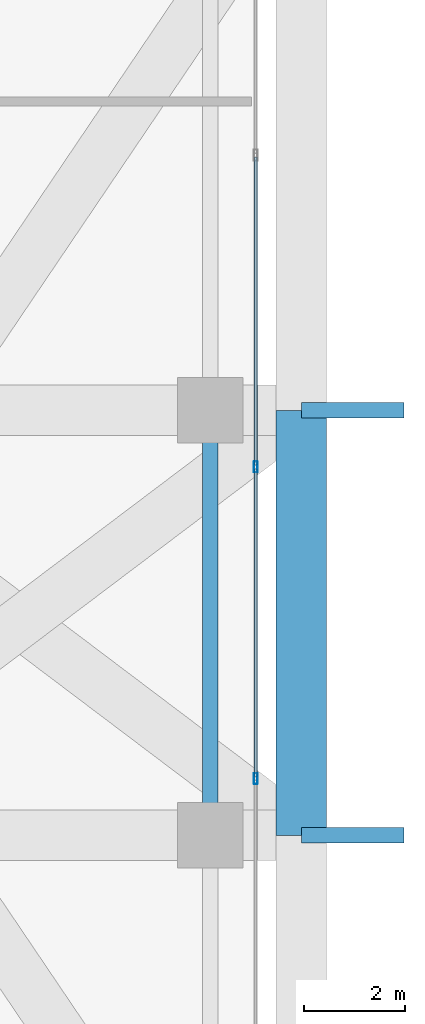
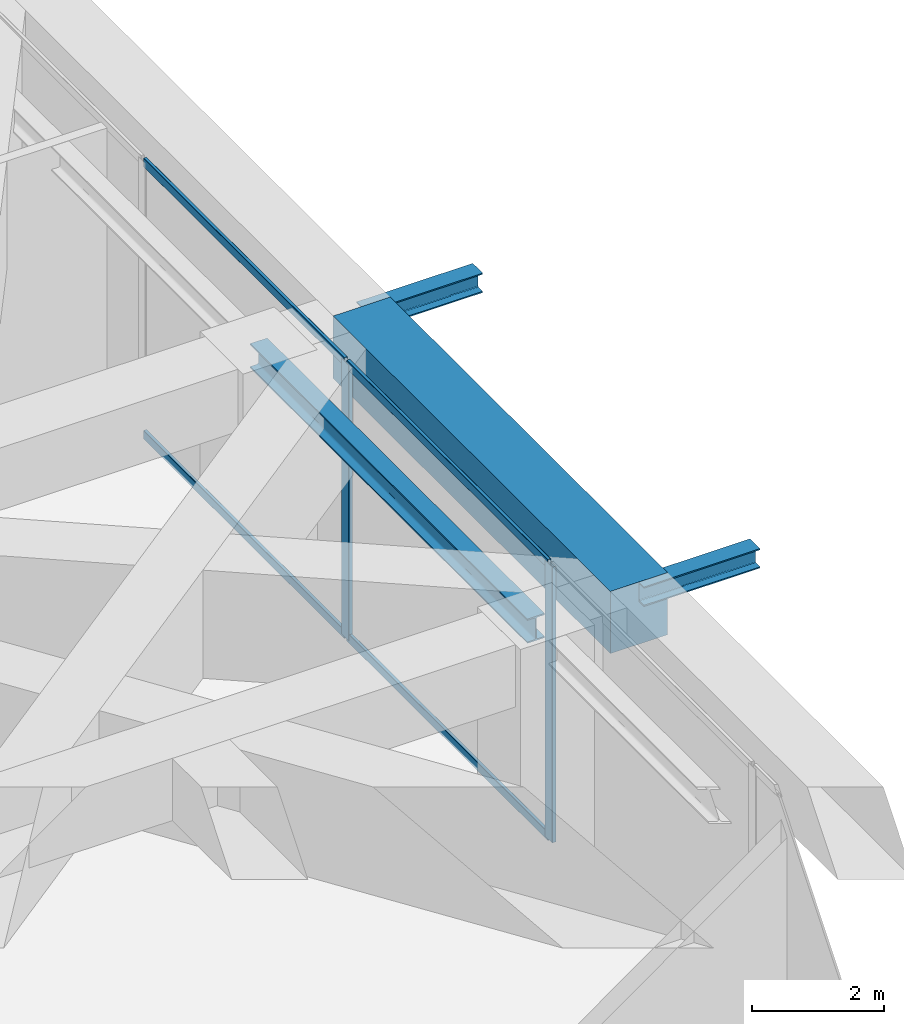
# One storey, part 15 of 38: 6 members, 4 beams, 1 element without a shape of its own.
"""IFC4 building model written with IfcOpenShell, lengths in metres."""

from ifc_helpers import new_model, si_unit, direction, frame, origin, origin_2d, place, context, subcontext, project, spatial, rectangle, hollow_rectangle, i_section, extrude, source, transform, mapped, material, layer, layer_set, material_profile, profile_set, type_object, element, aggregate, save


model = new_model("IFC4")

# Units and contexts
model_context = context("Model", 3, precision=1e-05, world=origin(), true_north=direction((0.0, 1.0)))
body_context = subcontext(model_context, "Body", "Model", "MODEL_VIEW")
ifc_project = project(units=[si_unit("LENGTHUNIT", "METRE"), si_unit("AREAUNIT", "SQUARE_METRE"), si_unit("VOLUMEUNIT", "CUBIC_METRE"), si_unit("PLANEANGLEUNIT", "RADIAN"), si_unit("MASSUNIT", "GRAM", prefix="KILO")], contexts=[model_context])

# Site, building, storey
site_placement = place(None, origin())
site = spatial("IfcSite", under=ifc_project, at=site_placement, CompositionType="ELEMENT")
building_placement = place(site_placement, origin())
building = spatial("IfcBuilding", under=site, at=building_placement, Name="Serunith Strait Residences", CompositionType="ELEMENT")
storey_placement = place(building_placement, frame((0.0, 0.0, 204.89990234375)))
storey = spatial("IfcBuildingStorey", under=building, at=storey_placement, Name="L51", CompositionType="ELEMENT", Elevation=204.89990234375)

# Beams
ifc_material_1 = material(Name="Steel S355J2", Category="steel")
ifc_material_profile_1 = material_profile(ifc_material_1, i_section(OverallWidth=0.300048828125, OverallDepth=0.449951171875, WebThickness=0.013916015625, FlangeThickness=0.02587890625, FilletRadius=0.027099609375, at=origin_2d()), Name="HEB 450")
ifc_profile_set_1 = profile_set([ifc_material_profile_1], Name="Steel S355J2")
beam_type_1 = type_object("IfcBeamType", Name="BM-HEB450", PredefinedType="BEAM", material=ifc_profile_set_1)
shared_shape_1 = source(origin(), body_context, "Body", "SweptSolid", [
    extrude(i_section(OverallWidth=0.300048828125, OverallDepth=0.449951171875, WebThickness=0.013916015625, FlangeThickness=0.02587890625, FilletRadius=0.027099609375, at=origin_2d()), origin(), (0.0, 0.0, 1.0), 8.39990234375),
])
beam_1_placement = place(storey_placement, frame((54.699951171875, 21.0, 4.882080078125), z_axis=(0.0, 1.0, 0.0), x_axis=(-1.0, 0.0, 0.0)))
element("IfcBeam", 1, at=beam_1_placement, inside=storey, type_object=beam_type_1, Name="L51 Perimeter Ring Beam 06", PredefinedType="BEAM", context=body_context, shape_type="MappedRepresentation", body=[
    mapped(shared_shape_1, transform((0.0, 0.0, 0.0), scale=1.0)),
])
ifc_material_2 = material(Name="Concrete C80/95", Category="concrete")
ifc_material_profile_2 = material_profile(ifc_material_2, rectangle(XDim=1.0, YDim=1.14990234375, at=origin_2d()), Name="RC 1000x1150")
ifc_profile_set_2 = profile_set([ifc_material_profile_2], Name="Concrete C80/95")
beam_type_2 = type_object("IfcBeamType", Name="BM-XFER-1000x1150", PredefinedType="BEAM", material=ifc_profile_set_2)
shared_shape_2 = source(origin(), body_context, "Body", "SweptSolid", [
    extrude(rectangle(XDim=1.0, YDim=1.14990234375, at=origin_2d()), origin(), (0.0, 0.0, 1.0), 8.39990234375),
])
beam_2_placement = place(storey_placement, frame((56.5, 21.0, 4.53515625), z_axis=(0.0, 1.0, 0.0), x_axis=(-1.0, 0.0, 0.0)))
element("IfcBeam", 2, at=beam_2_placement, inside=storey, type_object=beam_type_2, Name="L51 Flare Upper Ring Transfer Girder 06", PredefinedType="BEAM", context=body_context, shape_type="MappedRepresentation", body=[
    mapped(shared_shape_2, transform((0.0, 0.0, 0.0), scale=1.0)),
])
ifc_material_profile_3 = material_profile(ifc_material_1, i_section(OverallWidth=0.300048828125, OverallDepth=0.360107421875, WebThickness=0.012451171875, FlangeThickness=0.0224609375, FilletRadius=0.027099609375, at=origin_2d()), Name="HEB 360")
ifc_profile_set_3 = profile_set([ifc_material_profile_3], Name="Steel S355J2")
beam_type_3 = type_object("IfcBeamType", Name="BM-HEB360", PredefinedType="BEAM", material=ifc_profile_set_3)
shared_shape_3 = source(origin(), body_context, "Body", "SweptSolid", [
    extrude(i_section(OverallWidth=0.300048828125, OverallDepth=0.360107421875, WebThickness=0.012451171875, FlangeThickness=0.0224609375, FilletRadius=0.027099609375, at=origin_2d()), origin(), (0.0, 0.0, 1.0), 2.030029296875),
])
for number, where, z_axis, x_axis, name in (
    (3, (56.5, 21.0, 4.927001953125), (1.0, 0.0, 0.0), (0.0, 1.0, 0.0), "L52 Cantilevered Balcony Rib TC-E2"),
    (4, (56.5, 29.39990234375, 4.927001953125), (1.0, 0.0, 0.0), (0.0, 1.0, 0.0), "L52 Cantilevered Balcony Rib TC-E3"),
):
    element("IfcBeam", number, at=place(storey_placement, frame(where, z_axis=z_axis, x_axis=x_axis)), inside=storey, type_object=beam_type_3, Name=name, PredefinedType="BEAM", context=body_context, shape_type="MappedRepresentation", body=[
        mapped(shared_shape_3, transform((0.0, 0.0, 0.0), scale=1.0)),
    ])

# Curtain wall, members
ifc_material_3 = material(Name="Pale-Silver PVDF Aluminium", Category="aluminium")
ifc_layer = layer(ifc_material_3, 0.199951171875, Name="Pale-Silver PVDF Aluminium")
ifc_layer_set = layer_set([ifc_layer], Name="Pale-Silver PVDF Aluminium")
curtain_wall_type = type_object("IfcCurtainWallType", Name="CW-SYS3", PredefinedType="NOTDEFINED", material=ifc_layer_set)
curtain_wall_placement = place(storey_placement, origin())
curtain_wall = element("IfcCurtainWall", 5, at=curtain_wall_placement, inside=storey, type_object=curtain_wall_type, Name="L51 E Unitised Fritted Curtain Wall", PredefinedType="NOTDEFINED")
ifc_material_profile_4 = material_profile(ifc_material_3, hollow_rectangle(XDim=0.074951171875, YDim=0.219970703125, WallThickness=0.00390625, InnerFilletRadius=0.006103515625, OuterFilletRadius=0.010009765625, at=origin_2d()), Name="ALU 220x75x4")
ifc_profile_set_4 = profile_set([ifc_material_profile_4], Name="Pale-Silver PVDF Aluminium")
member_type_1 = type_object("IfcMemberType", Name="CW-SYS3-MULL", PredefinedType="MULLION", material=ifc_profile_set_4)
shared_shape_4 = source(origin(), body_context, "Body", "SweptSolid", [
    extrude(hollow_rectangle(XDim=0.074951171875, YDim=0.219970703125, WallThickness=0.00390625, InnerFilletRadius=0.006103515625, OuterFilletRadius=0.010009765625, at=origin_2d()), origin(), (0.0, 0.0, 1.0), 5.09521484375),
])
member_1_placement = place(storey_placement, frame((55.60009765625, 22.1201171875, 0.0), z_axis=(0.0, 0.0, 1.0), x_axis=(-1.0, 0.0, 0.0)))
member_1 = element("IfcMember", 6, at=member_1_placement, type_object=member_type_1, Name="CW-3 mullion 3", PredefinedType="MULLION", context=body_context, shape_type="MappedRepresentation", body=[
    mapped(shared_shape_4, transform((0.0, 0.0, 0.0), scale=1.0)),
])
member_2_placement = place(storey_placement, frame((55.60009765625, 28.280029296875, 0.0), z_axis=(0.0, 0.0, 1.0), x_axis=(-1.0, 0.0, 0.0)))
member_2 = element("IfcMember", 7, at=member_2_placement, type_object=member_type_1, Name="CW-3 mullion 4", PredefinedType="MULLION", context=body_context, shape_type="MappedRepresentation", body=[
    mapped(shared_shape_4, transform((0.0, 0.0, 0.0), scale=1.0)),
])
ifc_material_profile_5 = material_profile(ifc_material_3, hollow_rectangle(XDim=0.06005859375, YDim=0.159912109375, WallThickness=0.00341796875, InnerFilletRadius=0.00537109375, OuterFilletRadius=0.0087890625, at=origin_2d()), Name="ALU 160x60x3.5")
ifc_profile_set_5 = profile_set([ifc_material_profile_5], Name="Pale-Silver PVDF Aluminium")
member_type_2 = type_object("IfcMemberType", Name="CW-SYS3-TRAN", PredefinedType="USERDEFINED", material=ifc_profile_set_5)
shared_shape_5 = source(origin(), body_context, "Body", "SweptSolid", [
    extrude(hollow_rectangle(XDim=0.06005859375, YDim=0.159912109375, WallThickness=0.00341796875, InnerFilletRadius=0.00537109375, OuterFilletRadius=0.0087890625, at=origin_2d()), origin(), (0.0, 0.0, 1.0), 6.0849609375),
])
member_3_placement = place(storey_placement, frame((55.60009765625, 22.157470703125, 0.030029296875), z_axis=(0.0, 1.0, 0.0), x_axis=(-1.0, 0.0, 0.0)))
member_3 = element("IfcMember", 8, at=member_3_placement, type_object=member_type_2, Name="CW-3 transom 3.1", ObjectType="TRANSOM", PredefinedType="USERDEFINED", context=body_context, shape_type="MappedRepresentation", body=[
    mapped(shared_shape_5, transform((0.0, 0.0, 0.0), scale=1.0)),
])
member_4_placement = place(storey_placement, frame((55.60009765625, 22.157470703125, 5.065185546875), z_axis=(0.0, 1.0, 0.0), x_axis=(-1.0, 0.0, 0.0)))
member_4 = element("IfcMember", 9, at=member_4_placement, type_object=member_type_2, Name="CW-3 transom 3.2", ObjectType="TRANSOM", PredefinedType="USERDEFINED", context=body_context, shape_type="MappedRepresentation", body=[
    mapped(shared_shape_5, transform((0.0, 0.0, 0.0), scale=1.0)),
])
shared_shape_6 = source(origin(), body_context, "Body", "SweptSolid", [
    extrude(hollow_rectangle(XDim=0.06005859375, YDim=0.159912109375, WallThickness=0.00341796875, InnerFilletRadius=0.00537109375, OuterFilletRadius=0.0087890625, at=origin_2d()), origin(), (0.0, 0.0, 1.0), 6.085205078125),
])
member_5_placement = place(storey_placement, frame((55.60009765625, 28.3173828125, 0.030029296875), z_axis=(0.0, 1.0, 0.0), x_axis=(-1.0, 0.0, 0.0)))
member_5 = element("IfcMember", 10, at=member_5_placement, type_object=member_type_2, Name="CW-3 transom 4.1", ObjectType="TRANSOM", PredefinedType="USERDEFINED", context=body_context, shape_type="MappedRepresentation", body=[
    mapped(shared_shape_6, transform((0.0, 0.0, 0.0), scale=1.0)),
])
member_6_placement = place(storey_placement, frame((55.60009765625, 28.3173828125, 5.065185546875), z_axis=(0.0, 1.0, 0.0), x_axis=(-1.0, 0.0, 0.0)))
member_6 = element("IfcMember", 11, at=member_6_placement, type_object=member_type_2, Name="CW-3 transom 4.2", ObjectType="TRANSOM", PredefinedType="USERDEFINED", context=body_context, shape_type="MappedRepresentation", body=[
    mapped(shared_shape_6, transform((0.0, 0.0, 0.0), scale=1.0)),
])
aggregate(curtain_wall, [member_1, member_2, member_3, member_4, member_5, member_6])

save(model, "model.ifc")
